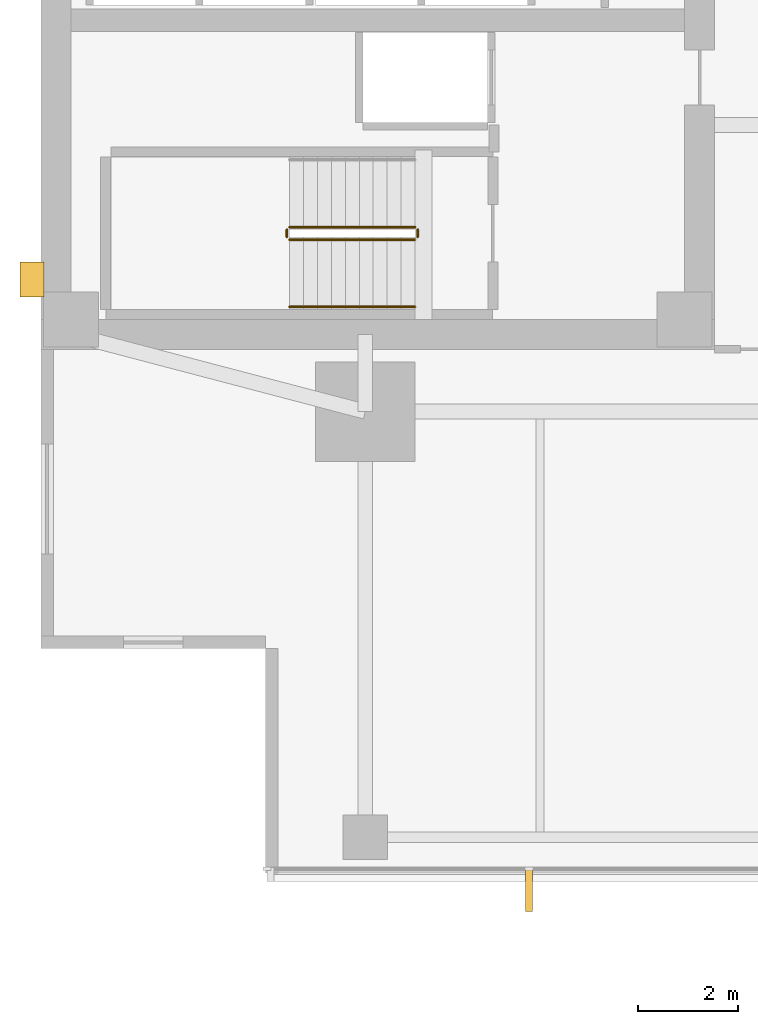
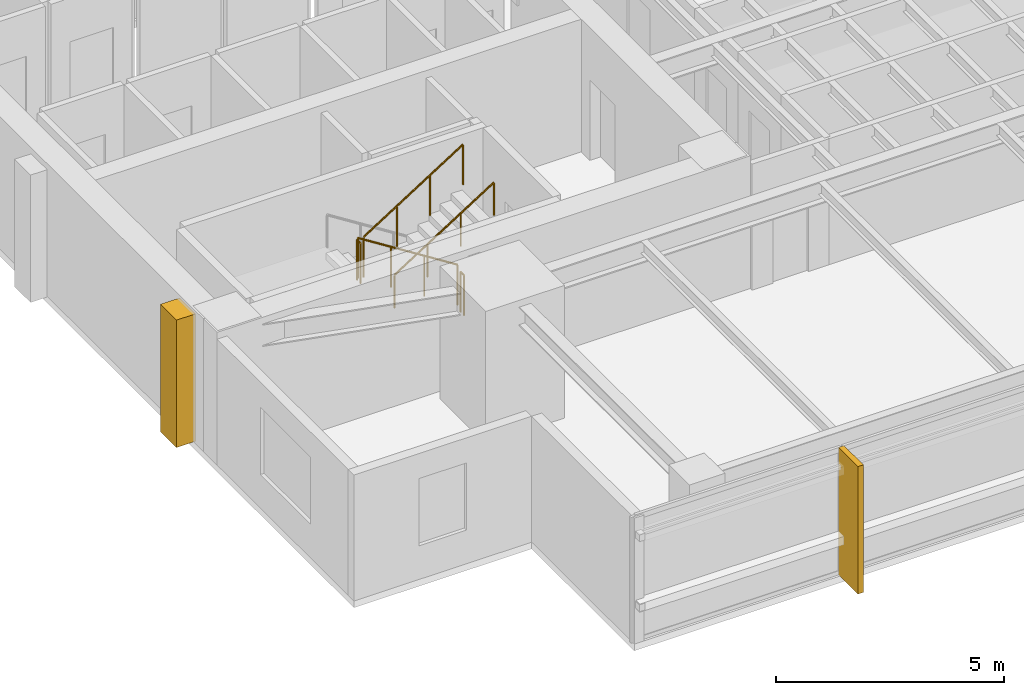
# One storey, part 11 of 14: 5 railings, 2 coverings.
"""IFC4 building model written with IfcOpenShell, lengths in metres."""

from ifc_helpers import new_model, si_unit, direction, frame, origin, origin_2d, place, context, subcontext, project, spatial, polyline, circle, outline, extrude, material, layer, layer_set, type_object, element, save


model = new_model("IFC4")

# Units and contexts
model_context = context("Model", 3, precision=1e-05, world=origin(), true_north=direction((0.0, 1.0)))
body_context = subcontext(model_context, "Body", "Model", "MODEL_VIEW")
ifc_project = project(units=[si_unit("LENGTHUNIT", "METRE"), si_unit("AREAUNIT", "SQUARE_METRE"), si_unit("VOLUMEUNIT", "CUBIC_METRE"), si_unit("PLANEANGLEUNIT", "RADIAN"), si_unit("MASSUNIT", "GRAM", prefix="KILO")], contexts=[model_context])

# Site, building, storey
site_placement = place(None, origin())
site = spatial("IfcSite", under=ifc_project, at=site_placement, CompositionType="ELEMENT")
building_placement = place(site_placement, origin())
building = spatial("IfcBuilding", under=site, at=building_placement, Name="Kinhvarn Gate Tower", CompositionType="ELEMENT")
storey_placement = place(building_placement, frame((0.0, 0.0, 159.050048828125)))
storey = spatial("IfcBuildingStorey", under=building, at=storey_placement, Name="L42", CompositionType="ELEMENT", Elevation=159.050048828125)

# Coverings
ifc_material_1 = material(Name="Fired architectural terracotta", Category="masonry")
ifc_layer_1 = layer(ifc_material_1, 0.139892578125)
ifc_layer_set_1 = layer_set([ifc_layer_1], Name="Fired architectural terracotta")
covering_type_1 = type_object("IfcCoveringType", Name="COV-FIN-850", PredefinedType="CLADDING", material=ifc_layer_set_1)
covering_1_placement = place(storey_placement, frame((0.0, 0.0, -0.02001953125)))
element("IfcCovering", 1, at=covering_1_placement, inside=storey, type_object=covering_type_1, Name="Vertical Terracotta Expressive Fin TFN-850 (L42)", PredefinedType="CLADDING", context=body_context, shape_type="SweptSolid", body=[
    extrude(outline(polyline([(14.2158203125, 3.580078125), (14.355712890625, 3.580078125), (14.355712890625, 2.72998046875), (14.2158203125, 2.72998046875), (14.2158203125, 3.580078125)])), origin(), (0.0, 0.0, 1.0), 3.409912109375),
])
ifc_material_2 = material(Name="Precast white architectural concrete C40/50", Category="concrete")
ifc_layer_2 = layer(ifc_material_2, 0.47998046875)
ifc_layer_set_2 = layer_set([ifc_layer_2], Name="Precast white architectural concrete C40/50")
covering_type_2 = type_object("IfcCoveringType", Name="COV-RIB-450", PredefinedType="CLADDING", material=ifc_layer_set_2)
covering_2_placement = place(storey_placement, frame((0.0, 0.0, -0.02001953125)))
element("IfcCovering", 2, at=covering_2_placement, inside=storey, type_object=covering_type_2, Name="West Core Sculptural Concrete Relief Rib CRB-450 (L42)", PredefinedType="CLADDING", context=body_context, shape_type="SweptSolid", body=[
    extrude(outline(polyline([(4.080078125, 15.050048828125), (4.56005859375, 15.050048828125), (4.56005859375, 15.75), (4.080078125, 15.75), (4.080078125, 15.050048828125)])), origin(), (0.0, 0.0, 1.0), 3.409912109375),
])

# Railings
ifc_material_3 = material(Name="Steel S355", Category="steel")
railing_type_1 = type_object("IfcRailingType", Name="RL-ST-GRD", PredefinedType="BALUSTRADE", material=ifc_material_3)
railing_1_placement = place(storey_placement, frame((12.0, 16.449951171875, 0.177490234375)))
element("IfcRailing", 3, at=railing_1_placement, inside=storey, type_object=railing_type_1, Name="L42 ST1 stair guard 1", PredefinedType="BALUSTRADE", context=body_context, shape_type="SweptSolid", body=[
    extrude(circle(Radius=0.02392578125, at=origin_2d()), frame((0.0, 0.0, 1.076171875), z_axis=(-0.84460694969, 0.0, 0.535386869969), x_axis=(0.0, -1.0, 0.0)), (0.0, 0.0, 1.0), 2.983642578125),
    extrude(circle(Radius=0.02099609375, at=origin_2d()), origin(), (0.0, 0.0, 1.0), 1.052001953125),
    extrude(circle(Radius=0.02099609375, at=origin_2d()), frame((-0.840087890625, 0.0, 0.532470703125)), (0.0, 0.0, 1.0), 1.052001953125),
    extrude(circle(Radius=0.02099609375, at=origin_2d()), frame((-1.679931640625, 0.0, 1.06494140625)), (0.0, 0.0, 1.0), 1.052001953125),
    extrude(circle(Radius=0.02099609375, at=origin_2d()), frame((-2.52001953125, 0.0, 1.597412109375)), (0.0, 0.0, 1.0), 1.052001953125),
])
railing_2_placement = place(storey_placement, frame((9.429931640625, 16.39990234375, 1.77490234375)))
element("IfcRailing", 4, at=railing_2_placement, inside=storey, type_object=railing_type_1, Name="L42 ST1 stair guard 2", PredefinedType="BALUSTRADE", context=body_context, shape_type="SweptSolid", body=[
    extrude(circle(Radius=0.02392578125, at=origin_2d()), frame((0.0, 0.0, 1.076171875), z_axis=(0.0, -1.0, 0.0), x_axis=(1.0, 0.0, 0.0)), (0.0, 0.0, 1.0), 0.14990234375),
    extrude(circle(Radius=0.02099609375, at=origin_2d()), origin(), (0.0, 0.0, 1.0), 1.052001953125),
    extrude(circle(Radius=0.02099609375, at=origin_2d()), frame((0.0, -0.14990234375, 0.0)), (0.0, 0.0, 1.0), 1.052001953125),
])
railing_3_placement = place(storey_placement, frame((9.47998046875, 16.199951171875, 1.952392578125)))
element("IfcRailing", 5, at=railing_3_placement, inside=storey, type_object=railing_type_1, Name="L42 ST1 stair guard 3", PredefinedType="BALUSTRADE", context=body_context, shape_type="SweptSolid", body=[
    extrude(circle(Radius=0.02392578125, at=origin_2d()), frame((0.0, 0.0, 1.076171875), z_axis=(0.84456994832, 0.0, 0.535445237532), x_axis=(0.0, 1.0, 0.0)), (0.0, 0.0, 1.0), 2.98388671875),
    extrude(circle(Radius=0.02099609375, at=origin_2d()), origin(), (0.0, 0.0, 1.0), 1.052001953125),
    extrude(circle(Radius=0.02099609375, at=origin_2d()), frame((0.840087890625, 0.0, 0.532470703125)), (0.0, 0.0, 1.0), 1.052001953125),
    extrude(circle(Radius=0.02099609375, at=origin_2d()), frame((1.679931640625, 0.0, 1.065185546875)), (0.0, 0.0, 1.0), 1.052001953125),
    extrude(circle(Radius=0.02099609375, at=origin_2d()), frame((2.52001953125, 0.0, 1.59765625)), (0.0, 0.0, 1.0), 1.052001953125),
])
railing_4_placement = place(storey_placement, frame((12.050048828125, 16.39990234375, 0.0)))
element("IfcRailing", 6, at=railing_4_placement, inside=storey, type_object=railing_type_1, Name="L42 ST1 stair guard 4", PredefinedType="BALUSTRADE", context=body_context, shape_type="SweptSolid", body=[
    extrude(circle(Radius=0.02392578125, at=origin_2d()), frame((0.0, 0.0, 1.076171875), z_axis=(0.0, -1.0, 0.0), x_axis=(1.0, 0.0, 0.0)), (0.0, 0.0, 1.0), 0.14990234375),
    extrude(circle(Radius=0.02099609375, at=origin_2d()), origin(), (0.0, 0.0, 1.0), 1.052001953125),
    extrude(circle(Radius=0.02099609375, at=origin_2d()), frame((0.0, -0.14990234375, 0.0)), (0.0, 0.0, 1.0), 1.052001953125),
])
railing_type_2 = type_object("IfcRailingType", Name="RL-ST-HND", PredefinedType="HANDRAIL", material=ifc_material_3)
railing_5_placement = place(storey_placement, frame((9.47998046875, 14.85009765625, 1.952392578125)))
element("IfcRailing", 7, at=railing_5_placement, inside=storey, type_object=railing_type_2, Name="L42 ST1 stair handrail 2", PredefinedType="HANDRAIL", context=body_context, shape_type="SweptSolid", body=[
    extrude(circle(Radius=0.02392578125, at=origin_2d()), frame((0.0, 0.0, 0.8759765625), z_axis=(0.84456994832, 0.0, 0.535445237532), x_axis=(0.0, 1.0, 0.0)), (0.0, 0.0, 1.0), 2.98388671875),
    extrude(circle(Radius=0.02099609375, at=origin_2d()), origin(), (0.0, 0.0, 1.0), 0.851806640625),
    extrude(circle(Radius=0.02099609375, at=origin_2d()), frame((0.840087890625, 0.0, 0.532470703125)), (0.0, 0.0, 1.0), 0.851806640625),
    extrude(circle(Radius=0.02099609375, at=origin_2d()), frame((1.679931640625, 0.0, 1.065185546875)), (0.0, 0.0, 1.0), 0.851806640625),
    extrude(circle(Radius=0.02099609375, at=origin_2d()), frame((2.52001953125, 0.0, 1.59765625)), (0.0, 0.0, 1.0), 0.851806640625),
])

save(model, "model.ifc")
